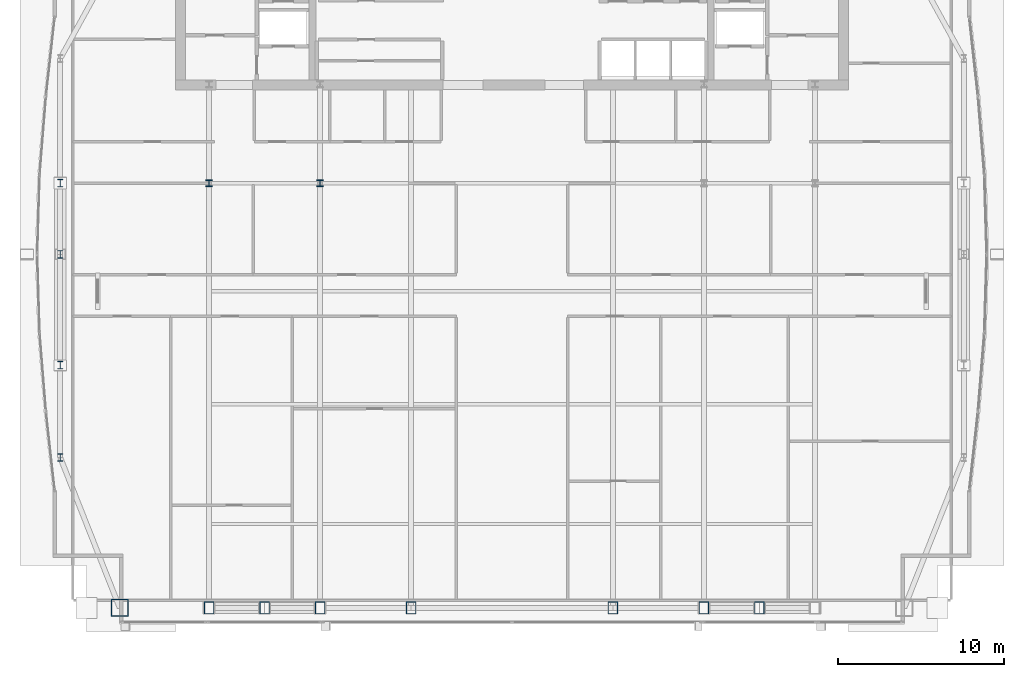
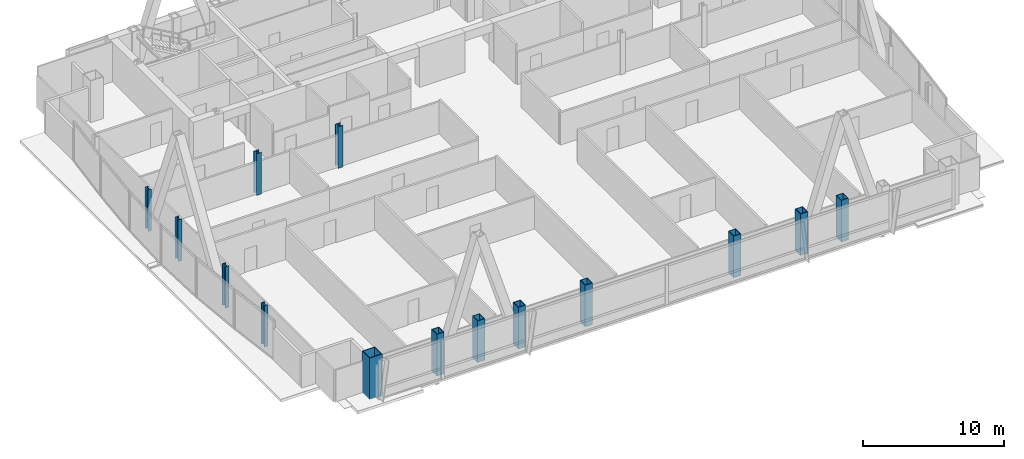
# One storey, part 1 of 30: 14 columns.
"""IFC4 building model written with IfcOpenShell, lengths in metres."""

from ifc_helpers import new_model, si_unit, direction, frame, origin, origin_2d, place, context, subcontext, project, spatial, hollow_rectangle, i_section, extrude, material, material_profile, profile_set, type_object, element, save


model = new_model("IFC4")

# Units and contexts
model_context = context("Model", 3, precision=1e-05, world=origin(), true_north=direction((0.0, 1.0)))
body_context = subcontext(model_context, "Body", "Model", "MODEL_VIEW")
ifc_project = project(units=[si_unit("LENGTHUNIT", "METRE"), si_unit("AREAUNIT", "SQUARE_METRE"), si_unit("VOLUMEUNIT", "CUBIC_METRE"), si_unit("PLANEANGLEUNIT", "RADIAN"), si_unit("MASSUNIT", "GRAM", prefix="KILO")], contexts=[model_context])

# Site, building, storey
site_placement = place(None, origin())
site = spatial("IfcSite", under=ifc_project, at=site_placement, CompositionType="ELEMENT")
building_placement = place(site_placement, origin())
building = spatial("IfcBuilding", under=site, at=building_placement, Name="Khoronbel Lancet Exchange", CompositionType="ELEMENT")
storey_placement = place(building_placement, frame((0.0, 0.0, 239.0)))
storey = spatial("IfcBuildingStorey", under=building, at=storey_placement, Name="L61", CompositionType="ELEMENT", Elevation=239.0)

# Columns
ifc_material_1 = material(Name="Steel S460", Category="steel")
ifc_material_profile_1 = material_profile(ifc_material_1, hollow_rectangle(XDim=0.60009765625, YDim=0.75, WallThickness=0.044921875, at=origin_2d()), Name="BOX 750x600x45")
ifc_profile_set_1 = profile_set([ifc_material_profile_1], Name="Steel S460")
column_type_1 = type_object("IfcColumnType", Name="COL-EC3", PredefinedType="COLUMN", material=ifc_profile_set_1)
for number, where, z_axis, x_axis, name in (
    (1, (18.22509765625, 10.14990234375, 0.0), (0.0, 0.0, 1.0), (1.0, 0.0, 0.0), "Structural column SC-W1 L61"),
    (2, (21.5625, 10.14990234375, 0.0), (0.0, 0.0, 1.0), (1.0, 0.0, 0.0), "Structural column SC-WM L61"),
    (3, (24.89990234375, 10.14990234375, 0.0), (0.0, 0.0, 1.0), (1.0, 0.0, 0.0), "Structural column SC-W2 L61"),
    (4, (30.375, 10.14990234375, 0.0), (0.0, 0.0, 1.0), (1.0, 0.0, 0.0), "Structural column SC-C1 L61"),
    (5, (42.52490234375, 10.14990234375, 0.0), (0.0, 0.0, 1.0), (1.0, 0.0, 0.0), "Structural column SC-C2 L61"),
    (6, (48.0, 10.14990234375, 0.0), (0.0, 0.0, 1.0), (1.0, 0.0, 0.0), "Structural column SC-E1 L61"),
    (7, (51.33740234375, 10.14990234375, 0.0), (0.0, 0.0, 1.0), (1.0, 0.0, 0.0), "Structural column SC-EM L61"),
):
    element("IfcColumn", number, at=place(storey_placement, frame(where, z_axis=z_axis, x_axis=x_axis)), inside=storey, type_object=column_type_1, Name=name, PredefinedType="COLUMN", context=body_context, shape_type="SweptSolid", body=[
        extrude(hollow_rectangle(XDim=0.60009765625, YDim=0.75, WallThickness=0.044921875, at=origin_2d()), origin(), (0.0, 0.0, 1.0), 3.60009765625),
    ])
ifc_material_2 = material(Name="Steel S355", Category="steel")
ifc_material_profile_2 = material_profile(ifc_material_2, i_section(OverallWidth=0.406005859375, OverallDepth=0.416015625, WebThickness=0.02978515625, FlangeThickness=0.048095703125, at=origin_2d()), Name="HD 400x382")
ifc_profile_set_2 = profile_set([ifc_material_profile_2], Name="Steel S355")
column_type_2 = type_object("IfcColumnType", Name="COL-IC3", PredefinedType="COLUMN", material=ifc_profile_set_2)
for number, where, z_axis, x_axis, name in (
    (8, (18.22509765625, 35.699951171875, 0.0), (0.0, 0.0, 1.0), (1.0, 0.0, 0.0), "Spine gravity column TC1 L61"),
    (9, (24.89990234375, 35.699951171875, 0.0), (0.0, 0.0, 1.0), (1.0, 0.0, 0.0), "Spine gravity column TC2 L61"),
):
    element("IfcColumn", number, at=place(storey_placement, frame(where, z_axis=z_axis, x_axis=x_axis)), inside=storey, type_object=column_type_2, Name=name, PredefinedType="COLUMN", context=body_context, shape_type="SweptSolid", body=[
        extrude(i_section(OverallWidth=0.406005859375, OverallDepth=0.416015625, WebThickness=0.02978515625, FlangeThickness=0.048095703125, at=origin_2d()), origin(), (0.0, 0.0, 1.0), 3.60009765625),
    ])
ifc_material_profile_3 = material_profile(ifc_material_2, i_section(OverallWidth=0.300048828125, OverallDepth=0.449951171875, WebThickness=0.013916015625, FlangeThickness=0.02587890625, at=origin_2d()), Name="HEB 450")
ifc_profile_set_3 = profile_set([ifc_material_profile_3], Name="Steel S355")
column_type_3 = type_object("IfcColumnType", Name="COL-LC2", PredefinedType="COLUMN", material=ifc_profile_set_3)
for number, where, z_axis, x_axis, name in (
    (10, (9.27001953125, 19.199951171875, 0.0), (0.0, 0.0, 1.0), (1.0, 0.0, 0.0), "Structural column WC-1 L61"),
    (11, (9.27001953125, 24.75, 0.0), (0.0, 0.0, 1.0), (1.0, 0.0, 0.0), "Structural column WC-2 L61"),
    (12, (9.27001953125, 31.425048828125, 0.0), (0.0, 0.0, 1.0), (1.0, 0.0, 0.0), "Structural column WC-M L61"),
    (13, (9.27001953125, 35.699951171875, 0.0), (0.0, 0.0, 1.0), (1.0, 0.0, 0.0), "Structural column WC-3 L61"),
):
    element("IfcColumn", number, at=place(storey_placement, frame(where, z_axis=z_axis, x_axis=x_axis)), inside=storey, type_object=column_type_3, Name=name, PredefinedType="COLUMN", context=body_context, shape_type="SweptSolid", body=[
        extrude(i_section(OverallWidth=0.300048828125, OverallDepth=0.449951171875, WebThickness=0.013916015625, FlangeThickness=0.02587890625, at=origin_2d()), origin(), (0.0, 0.0, 1.0), 3.60009765625),
    ])
ifc_material_profile_4 = material_profile(ifc_material_1, hollow_rectangle(XDim=1.050048828125, YDim=1.050048828125, WallThickness=0.054931640625, at=origin_2d()), Name="BOX 1050x1050x55")
ifc_profile_set_4 = profile_set([ifc_material_profile_4], Name="Steel S460")
column_type_4 = type_object("IfcColumnType", Name="COL-MC6", PredefinedType="COLUMN", material=ifc_profile_set_4)
column_placement = place(storey_placement, frame((12.85009765625, 10.14990234375, 0.0), z_axis=(0.0, 0.0, 1.0), x_axis=(1.0, 0.0, 0.0)))
element("IfcColumn", 14, at=column_placement, inside=storey, type_object=column_type_4, Name="Structural column MC-SW L61", PredefinedType="COLUMN", context=body_context, shape_type="SweptSolid", body=[
    extrude(hollow_rectangle(XDim=1.050048828125, YDim=1.050048828125, WallThickness=0.054931640625, at=origin_2d()), origin(), (0.0, 0.0, 1.0), 3.60009765625),
])

save(model, "model.ifc")
